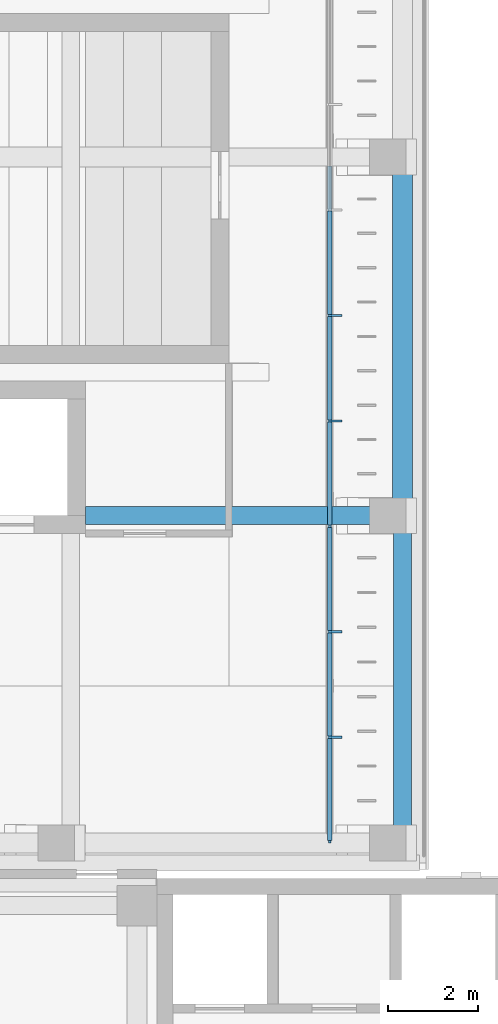
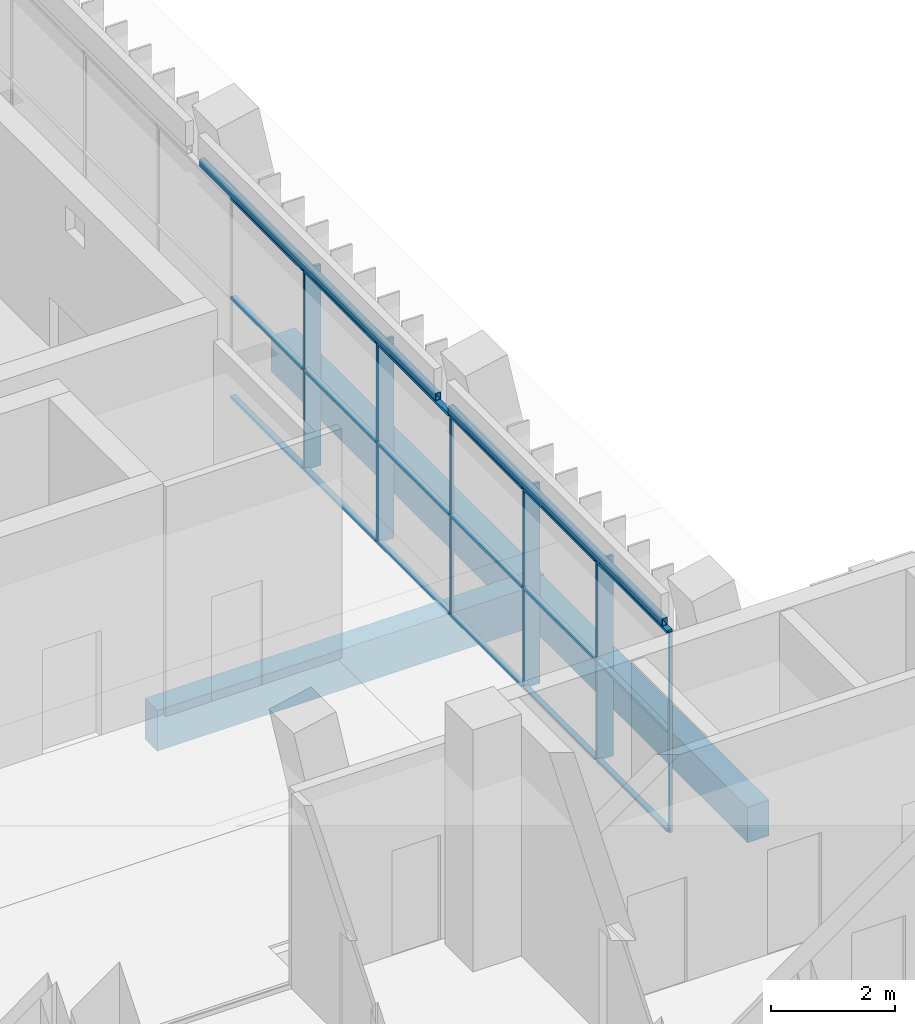
# One storey, part 61 of 141: 24 members, 5 beams, 1 element without a shape of its own.
"""IFC4 building model written with IfcOpenShell, lengths in metres."""

from ifc_helpers import new_model, si_unit, direction, frame, origin, origin_2d, place, context, subcontext, project, spatial, rectangle, hollow_rectangle, extrude, material, material_profile, profile_set, type_object, element, aggregate, save


model = new_model("IFC4")

# Units and contexts
model_context = context("Model", 3, precision=1e-05, world=origin(), true_north=direction((0.0, 1.0)))
body_context = subcontext(model_context, "Body", "Model", "MODEL_VIEW")
ifc_project = project(units=[si_unit("LENGTHUNIT", "METRE"), si_unit("AREAUNIT", "SQUARE_METRE"), si_unit("VOLUMEUNIT", "CUBIC_METRE"), si_unit("PLANEANGLEUNIT", "RADIAN"), si_unit("MASSUNIT", "GRAM", prefix="KILO")], contexts=[model_context])

# Site, building, storey
site_placement = place(None, origin())
site = spatial("IfcSite", under=ifc_project, at=site_placement, CompositionType="ELEMENT")
building_placement = place(site_placement, origin())
building = spatial("IfcBuilding", under=site, at=building_placement, Name="Lantern Court Media Centre", CompositionType="ELEMENT")
storey_placement = place(building_placement, frame((0.0, 0.0, 9.60009765625)))
storey = spatial("IfcBuildingStorey", under=building, at=storey_placement, Name="L02", CompositionType="ELEMENT", Elevation=9.60009765625)

# Curtain wall, members
ifc_material_1 = material(Name="Curtain wall bay 2400")
curtain_wall_type = type_object("IfcCurtainWallType", Name="Curtain wall bay 2400", PredefinedType="NOTDEFINED", material=ifc_material_1)
curtain_wall_placement = place(storey_placement, origin())
curtain_wall = element("IfcCurtainWall", 1, at=curtain_wall_placement, inside=storey, type_object=curtain_wall_type, Name="Curtain wall W inner L02", PredefinedType="NOTDEFINED")
ifc_material_2 = material(Name="Anodised aluminium", Category="aluminium")
ifc_material_profile_1 = material_profile(ifc_material_2, rectangle(XDim=0.300048828125, YDim=0.050048828125, at=origin_2d()), Name="AL 50x300")
ifc_profile_set_1 = profile_set([ifc_material_profile_1], Name="Anodised aluminium")
member_type_1 = type_object("IfcMemberType", Name="Curtain wall mullion 50x300", PredefinedType="MULLION", material=ifc_profile_set_1)
member_1_placement = place(storey_placement, frame((19.969970703125, 67.053955078125, 0.0), z_axis=(0.0, 0.0, 1.0), x_axis=(-1.0, 0.0, 0.0)))
member_1 = element("IfcMember", 2, at=member_1_placement, type_object=member_type_1, Name="CW2 mullion 2", PredefinedType="MULLION", context=body_context, shape_type="SweptSolid", body=[
    extrude(rectangle(XDim=0.300048828125, YDim=0.050048828125, at=origin_2d()), origin(), (0.0, 0.0, 1.0), 3.949951171875),
])
member_2_placement = place(storey_placement, frame((19.969970703125, 69.40771484375, 0.0), z_axis=(0.0, 0.0, 1.0), x_axis=(-1.0, 0.0, 0.0)))
member_2 = element("IfcMember", 3, at=member_2_placement, type_object=member_type_1, Name="CW2 mullion 3", PredefinedType="MULLION", context=body_context, shape_type="SweptSolid", body=[
    extrude(rectangle(XDim=0.300048828125, YDim=0.050048828125, at=origin_2d()), origin(), (0.0, 0.0, 1.0), 3.949951171875),
])
member_3_placement = place(storey_placement, frame((19.969970703125, 74.115478515625, 0.0), z_axis=(0.0, 0.0, 1.0), x_axis=(-1.0, 0.0, 0.0)))
member_3 = element("IfcMember", 4, at=member_3_placement, type_object=member_type_1, Name="CW2 mullion 5", PredefinedType="MULLION", context=body_context, shape_type="SweptSolid", body=[
    extrude(rectangle(XDim=0.300048828125, YDim=0.050048828125, at=origin_2d()), origin(), (0.0, 0.0, 1.0), 3.949951171875),
])
member_4_placement = place(storey_placement, frame((19.969970703125, 76.46923828125, 0.0), z_axis=(0.0, 0.0, 1.0), x_axis=(-1.0, 0.0, 0.0)))
member_4 = element("IfcMember", 5, at=member_4_placement, type_object=member_type_1, Name="CW2 mullion 6", PredefinedType="MULLION", context=body_context, shape_type="SweptSolid", body=[
    extrude(rectangle(XDim=0.300048828125, YDim=0.050048828125, at=origin_2d()), origin(), (0.0, 0.0, 1.0), 3.949951171875),
])
ifc_material_profile_2 = material_profile(ifc_material_2, rectangle(XDim=0.06005859375, YDim=0.050048828125, at=origin_2d()), Name="AL 50x60")
ifc_profile_set_2 = profile_set([ifc_material_profile_2], Name="Anodised aluminium")
member_type_2 = type_object("IfcMemberType", Name="Curtain wall mullion 50x60", PredefinedType="MULLION", material=ifc_profile_set_2)
member_5_placement = place(storey_placement, frame((19.85009765625, 64.72509765625, 0.0), z_axis=(0.0, 0.0, 1.0), x_axis=(-1.0, 0.0, 0.0)))
member_5 = element("IfcMember", 6, at=member_5_placement, type_object=member_type_2, Name="CW2 mullion 1", PredefinedType="MULLION", context=body_context, shape_type="SweptSolid", body=[
    extrude(rectangle(XDim=0.06005859375, YDim=0.050048828125, at=origin_2d()), origin(), (0.0, 0.0, 1.0), 3.949951171875),
])
member_6_placement = place(storey_placement, frame((19.85009765625, 71.761474609375, 0.0), z_axis=(0.0, 0.0, 1.0), x_axis=(-1.0, 0.0, 0.0)))
member_6 = element("IfcMember", 7, at=member_6_placement, type_object=member_type_2, Name="CW2 mullion 4", PredefinedType="MULLION", context=body_context, shape_type="SweptSolid", body=[
    extrude(rectangle(XDim=0.06005859375, YDim=0.050048828125, at=origin_2d()), origin(), (0.0, 0.0, 1.0), 3.949951171875),
])
ifc_material_profile_3 = material_profile(ifc_material_2, rectangle(XDim=0.10009765625, YDim=0.050048828125, at=origin_2d()), Name="AL 50x100")
ifc_profile_set_3 = profile_set([ifc_material_profile_3], Name="Anodised aluminium")
member_type_3 = type_object("IfcMemberType", Name="Curtain wall transom 100x50", PredefinedType="USERDEFINED", material=ifc_profile_set_3)
member_7_placement = place(storey_placement, frame((19.85009765625, 64.75, 0.02490234375), z_axis=(0.0, 1.0, 0.0), x_axis=(-1.0, 0.0, 0.0)))
member_7 = element("IfcMember", 8, at=member_7_placement, type_object=member_type_3, Name="CW2 transom 1.1", ObjectType="TRANSOM", PredefinedType="USERDEFINED", context=body_context, shape_type="SweptSolid", body=[
    extrude(rectangle(XDim=0.10009765625, YDim=0.050048828125, at=origin_2d()), origin(), (0.0, 0.0, 1.0), 2.27880859375),
])
member_8_placement = place(storey_placement, frame((19.85009765625, 64.75, 1.974853515625), z_axis=(0.0, 1.0, 0.0), x_axis=(-1.0, 0.0, 0.0)))
member_8 = element("IfcMember", 9, at=member_8_placement, type_object=member_type_3, Name="CW2 transom 1.2", ObjectType="TRANSOM", PredefinedType="USERDEFINED", context=body_context, shape_type="SweptSolid", body=[
    extrude(rectangle(XDim=0.10009765625, YDim=0.050048828125, at=origin_2d()), origin(), (0.0, 0.0, 1.0), 2.27880859375),
])
member_9_placement = place(storey_placement, frame((19.85009765625, 64.75, 3.9248046875), z_axis=(0.0, 1.0, 0.0), x_axis=(-1.0, 0.0, 0.0)))
member_9 = element("IfcMember", 10, at=member_9_placement, type_object=member_type_3, Name="CW2 transom 1.3", ObjectType="TRANSOM", PredefinedType="USERDEFINED", context=body_context, shape_type="SweptSolid", body=[
    extrude(rectangle(XDim=0.10009765625, YDim=0.050048828125, at=origin_2d()), origin(), (0.0, 0.0, 1.0), 2.27880859375),
])
member_10_placement = place(storey_placement, frame((19.85009765625, 67.078857421875, 0.02490234375), z_axis=(0.0, 1.0, 0.0), x_axis=(-1.0, 0.0, 0.0)))
member_10 = element("IfcMember", 11, at=member_10_placement, type_object=member_type_3, Name="CW2 transom 2.1", ObjectType="TRANSOM", PredefinedType="USERDEFINED", context=body_context, shape_type="SweptSolid", body=[
    extrude(rectangle(XDim=0.10009765625, YDim=0.050048828125, at=origin_2d()), origin(), (0.0, 0.0, 1.0), 2.303955078125),
])
member_11_placement = place(storey_placement, frame((19.85009765625, 67.078857421875, 1.974853515625), z_axis=(0.0, 1.0, 0.0), x_axis=(-1.0, 0.0, 0.0)))
member_11 = element("IfcMember", 12, at=member_11_placement, type_object=member_type_3, Name="CW2 transom 2.2", ObjectType="TRANSOM", PredefinedType="USERDEFINED", context=body_context, shape_type="SweptSolid", body=[
    extrude(rectangle(XDim=0.10009765625, YDim=0.050048828125, at=origin_2d()), origin(), (0.0, 0.0, 1.0), 2.303955078125),
])
member_12_placement = place(storey_placement, frame((19.85009765625, 67.078857421875, 3.9248046875), z_axis=(0.0, 1.0, 0.0), x_axis=(-1.0, 0.0, 0.0)))
member_12 = element("IfcMember", 13, at=member_12_placement, type_object=member_type_3, Name="CW2 transom 2.3", ObjectType="TRANSOM", PredefinedType="USERDEFINED", context=body_context, shape_type="SweptSolid", body=[
    extrude(rectangle(XDim=0.10009765625, YDim=0.050048828125, at=origin_2d()), origin(), (0.0, 0.0, 1.0), 2.303955078125),
])
member_13_placement = place(storey_placement, frame((19.85009765625, 69.4326171875, 0.02490234375), z_axis=(0.0, 1.0, 0.0), x_axis=(-1.0, 0.0, 0.0)))
member_13 = element("IfcMember", 14, at=member_13_placement, type_object=member_type_3, Name="CW2 transom 3.1", ObjectType="TRANSOM", PredefinedType="USERDEFINED", context=body_context, shape_type="SweptSolid", body=[
    extrude(rectangle(XDim=0.10009765625, YDim=0.050048828125, at=origin_2d()), origin(), (0.0, 0.0, 1.0), 2.303955078125),
])
member_14_placement = place(storey_placement, frame((19.85009765625, 69.4326171875, 1.974853515625), z_axis=(0.0, 1.0, 0.0), x_axis=(-1.0, 0.0, 0.0)))
member_14 = element("IfcMember", 15, at=member_14_placement, type_object=member_type_3, Name="CW2 transom 3.2", ObjectType="TRANSOM", PredefinedType="USERDEFINED", context=body_context, shape_type="SweptSolid", body=[
    extrude(rectangle(XDim=0.10009765625, YDim=0.050048828125, at=origin_2d()), origin(), (0.0, 0.0, 1.0), 2.303955078125),
])
member_15_placement = place(storey_placement, frame((19.85009765625, 69.4326171875, 3.9248046875), z_axis=(0.0, 1.0, 0.0), x_axis=(-1.0, 0.0, 0.0)))
member_15 = element("IfcMember", 16, at=member_15_placement, type_object=member_type_3, Name="CW2 transom 3.3", ObjectType="TRANSOM", PredefinedType="USERDEFINED", context=body_context, shape_type="SweptSolid", body=[
    extrude(rectangle(XDim=0.10009765625, YDim=0.050048828125, at=origin_2d()), origin(), (0.0, 0.0, 1.0), 2.303955078125),
])
member_16_placement = place(storey_placement, frame((19.85009765625, 71.78662109375, 0.02490234375), z_axis=(0.0, 1.0, 0.0), x_axis=(-1.0, 0.0, 0.0)))
member_16 = element("IfcMember", 17, at=member_16_placement, type_object=member_type_3, Name="CW2 transom 4.1", ObjectType="TRANSOM", PredefinedType="USERDEFINED", context=body_context, shape_type="SweptSolid", body=[
    extrude(rectangle(XDim=0.10009765625, YDim=0.050048828125, at=origin_2d()), origin(), (0.0, 0.0, 1.0), 2.3037109375),
])
member_17_placement = place(storey_placement, frame((19.85009765625, 71.78662109375, 1.974853515625), z_axis=(0.0, 1.0, 0.0), x_axis=(-1.0, 0.0, 0.0)))
member_17 = element("IfcMember", 18, at=member_17_placement, type_object=member_type_3, Name="CW2 transom 4.2", ObjectType="TRANSOM", PredefinedType="USERDEFINED", context=body_context, shape_type="SweptSolid", body=[
    extrude(rectangle(XDim=0.10009765625, YDim=0.050048828125, at=origin_2d()), origin(), (0.0, 0.0, 1.0), 2.3037109375),
])
member_18_placement = place(storey_placement, frame((19.85009765625, 71.78662109375, 3.9248046875), z_axis=(0.0, 1.0, 0.0), x_axis=(-1.0, 0.0, 0.0)))
member_18 = element("IfcMember", 19, at=member_18_placement, type_object=member_type_3, Name="CW2 transom 4.3", ObjectType="TRANSOM", PredefinedType="USERDEFINED", context=body_context, shape_type="SweptSolid", body=[
    extrude(rectangle(XDim=0.10009765625, YDim=0.050048828125, at=origin_2d()), origin(), (0.0, 0.0, 1.0), 2.3037109375),
])
member_19_placement = place(storey_placement, frame((19.85009765625, 74.140380859375, 0.02490234375), z_axis=(0.0, 1.0, 0.0), x_axis=(-1.0, 0.0, 0.0)))
member_19 = element("IfcMember", 20, at=member_19_placement, type_object=member_type_3, Name="CW2 transom 5.1", ObjectType="TRANSOM", PredefinedType="USERDEFINED", context=body_context, shape_type="SweptSolid", body=[
    extrude(rectangle(XDim=0.10009765625, YDim=0.050048828125, at=origin_2d()), origin(), (0.0, 0.0, 1.0), 2.303955078125),
])
member_20_placement = place(storey_placement, frame((19.85009765625, 74.140380859375, 1.974853515625), z_axis=(0.0, 1.0, 0.0), x_axis=(-1.0, 0.0, 0.0)))
member_20 = element("IfcMember", 21, at=member_20_placement, type_object=member_type_3, Name="CW2 transom 5.2", ObjectType="TRANSOM", PredefinedType="USERDEFINED", context=body_context, shape_type="SweptSolid", body=[
    extrude(rectangle(XDim=0.10009765625, YDim=0.050048828125, at=origin_2d()), origin(), (0.0, 0.0, 1.0), 2.303955078125),
])
member_21_placement = place(storey_placement, frame((19.85009765625, 74.140380859375, 3.9248046875), z_axis=(0.0, 1.0, 0.0), x_axis=(-1.0, 0.0, 0.0)))
member_21 = element("IfcMember", 22, at=member_21_placement, type_object=member_type_3, Name="CW2 transom 5.3", ObjectType="TRANSOM", PredefinedType="USERDEFINED", context=body_context, shape_type="SweptSolid", body=[
    extrude(rectangle(XDim=0.10009765625, YDim=0.050048828125, at=origin_2d()), origin(), (0.0, 0.0, 1.0), 2.303955078125),
])
member_22_placement = place(storey_placement, frame((19.85009765625, 76.494140625, 0.02490234375), z_axis=(0.0, 1.0, 0.0), x_axis=(-1.0, 0.0, 0.0)))
member_22 = element("IfcMember", 23, at=member_22_placement, type_object=member_type_3, Name="CW2 transom 6.1", ObjectType="TRANSOM", PredefinedType="USERDEFINED", context=body_context, shape_type="SweptSolid", body=[
    extrude(rectangle(XDim=0.10009765625, YDim=0.050048828125, at=origin_2d()), origin(), (0.0, 0.0, 1.0), 2.303955078125),
])
member_23_placement = place(storey_placement, frame((19.85009765625, 76.494140625, 1.974853515625), z_axis=(0.0, 1.0, 0.0), x_axis=(-1.0, 0.0, 0.0)))
member_23 = element("IfcMember", 24, at=member_23_placement, type_object=member_type_3, Name="CW2 transom 6.2", ObjectType="TRANSOM", PredefinedType="USERDEFINED", context=body_context, shape_type="SweptSolid", body=[
    extrude(rectangle(XDim=0.10009765625, YDim=0.050048828125, at=origin_2d()), origin(), (0.0, 0.0, 1.0), 2.303955078125),
])
member_24_placement = place(storey_placement, frame((19.85009765625, 76.494140625, 3.9248046875), z_axis=(0.0, 1.0, 0.0), x_axis=(-1.0, 0.0, 0.0)))
member_24 = element("IfcMember", 25, at=member_24_placement, type_object=member_type_3, Name="CW2 transom 6.3", ObjectType="TRANSOM", PredefinedType="USERDEFINED", context=body_context, shape_type="SweptSolid", body=[
    extrude(rectangle(XDim=0.10009765625, YDim=0.050048828125, at=origin_2d()), origin(), (0.0, 0.0, 1.0), 2.303955078125),
])
aggregate(curtain_wall, [member_5, member_1, member_2, member_6, member_3, member_4, member_7, member_8, member_9, member_10, member_11, member_12, member_13, member_14, member_15, member_16, member_17, member_18, member_19, member_20, member_21, member_22, member_23, member_24])

# Beams
ifc_material_3 = material(Name="Steel S355J2 (EN 10025-2)", Category="steel")
ifc_material_profile_4 = material_profile(ifc_material_3, hollow_rectangle(XDim=0.10009765625, YDim=0.14990234375, WallThickness=0.00634765625, InnerFilletRadius=0.00634765625, OuterFilletRadius=0.009521484375, at=origin_2d()), Name="Facade head lintel RHS 150x100x6.3")
ifc_profile_set_4 = profile_set([ifc_material_profile_4], Name="Steel S355J2 (EN 10025-2)")
beam_type_1 = type_object("IfcBeamType", Name="Facade head lintel RHS 150x100x6.3", PredefinedType="BEAM", material=ifc_profile_set_4)
beam_1_placement = place(storey_placement, frame((19.85009765625, 64.89990234375, 4.02490234375), z_axis=(0.0, 1.0, 0.0), x_axis=(-1.0, 0.0, 0.0)))
element("IfcBeam", 26, at=beam_1_placement, inside=storey, type_object=beam_type_1, Name="Facade head lintel W L02", PredefinedType="BEAM", context=body_context, shape_type="SweptSolid", body=[
    extrude(hollow_rectangle(XDim=0.10009765625, YDim=0.14990234375, WallThickness=0.00634765625, InnerFilletRadius=0.00634765625, OuterFilletRadius=0.009521484375, at=origin_2d()), origin(), (0.0, 0.0, 1.0), 6.900146484375),
])
beam_2_placement = place(storey_placement, frame((19.85009765625, 72.199951171875, 4.02490234375), z_axis=(0.0, 1.0, 0.0), x_axis=(-1.0, 0.0, 0.0)))
element("IfcBeam", 27, at=beam_2_placement, inside=storey, type_object=beam_type_1, Name="Facade head lintel W L02", PredefinedType="BEAM", context=body_context, shape_type="SweptSolid", body=[
    extrude(hollow_rectangle(XDim=0.10009765625, YDim=0.14990234375, WallThickness=0.00634765625, InnerFilletRadius=0.00634765625, OuterFilletRadius=0.009521484375, at=origin_2d()), origin(), (0.0, 0.0, 1.0), 7.60009765625),
])
ifc_material_4 = material(Name="Concrete C35", Category="concrete")
ifc_material_profile_5 = material_profile(ifc_material_4, rectangle(XDim=0.39990234375, YDim=0.699951171875, at=origin_2d()), Name="RC 400x700")
ifc_profile_set_5 = profile_set([ifc_material_profile_5], Name="Concrete C35")
beam_type_2 = type_object("IfcBeamType", Name="RC BEAM 400x700", PredefinedType="BEAM", material=ifc_profile_set_5)
beam_3_placement = place(storey_placement, frame((21.472900390625, 64.699951171875, -0.35009765625), z_axis=(0.0, 1.0, 0.0), x_axis=(-1.0, 0.0, 0.0)))
element("IfcBeam", 28, at=beam_3_placement, inside=storey, type_object=beam_type_2, Name="LB-W-L02-2-0", PredefinedType="BEAM", context=body_context, shape_type="SweptSolid", body=[
    extrude(rectangle(XDim=0.39990234375, YDim=0.699951171875, at=origin_2d()), origin(), (0.0, 0.0, 1.0), 7.300048828125),
])
ifc_material_profile_6 = material_profile(ifc_material_4, rectangle(XDim=0.39990234375, YDim=0.800048828125, at=origin_2d()), Name="RC 400x800")
ifc_profile_set_6 = profile_set([ifc_material_profile_6], Name="Concrete C35")
beam_type_3 = type_object("IfcBeamType", Name="RC BEAM 400x800", PredefinedType="BEAM", material=ifc_profile_set_6)
beam_4_placement = place(storey_placement, frame((14.39990234375, 72.0, -0.400146484375), z_axis=(1.0, 0.0, 0.0), x_axis=(0.0, 1.0, 0.0)))
element("IfcBeam", 29, at=beam_4_placement, inside=storey, type_object=beam_type_3, Name="TB-W-L02-1-2", PredefinedType="BEAM", context=body_context, shape_type="SweptSolid", body=[
    extrude(rectangle(XDim=0.39990234375, YDim=0.800048828125, at=origin_2d()), origin(), (0.0, 0.0, 1.0), 7.08349609375),
])
ifc_material_profile_7 = material_profile(ifc_material_4, rectangle(XDim=0.449951171875, YDim=0.699951171875, at=origin_2d()), Name="RC 450x700")
ifc_profile_set_7 = profile_set([ifc_material_profile_7], Name="Concrete C35")
beam_type_4 = type_object("IfcBeamType", Name="RC BEAM 450x700", PredefinedType="BEAM", material=ifc_profile_set_7)
beam_5_placement = place(storey_placement, frame((21.472900390625, 72.0, -0.35009765625), z_axis=(0.0, 1.0, 0.0), x_axis=(-1.0, 0.0, 0.0)))
element("IfcBeam", 30, at=beam_5_placement, inside=storey, type_object=beam_type_4, Name="LB-W-L02-2-1", PredefinedType="BEAM", context=body_context, shape_type="SweptSolid", body=[
    extrude(rectangle(XDim=0.449951171875, YDim=0.699951171875, at=origin_2d()), origin(), (0.0, 0.0, 1.0), 8.0),
])

save(model, "model.ifc")
